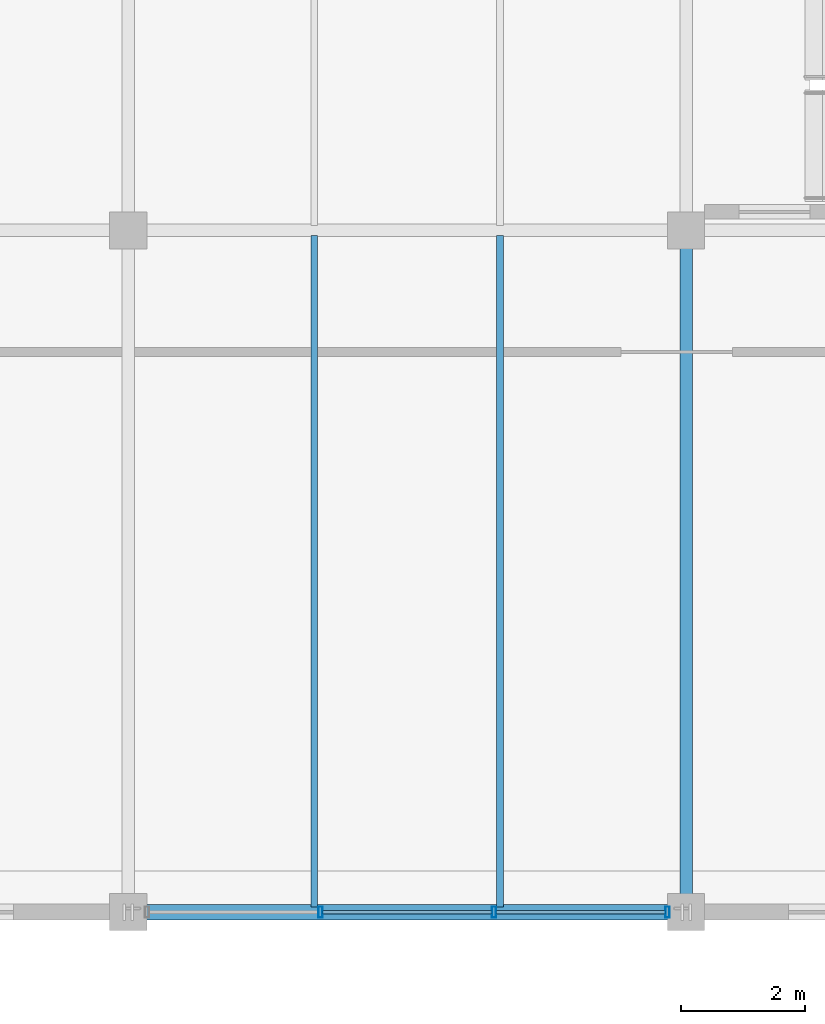
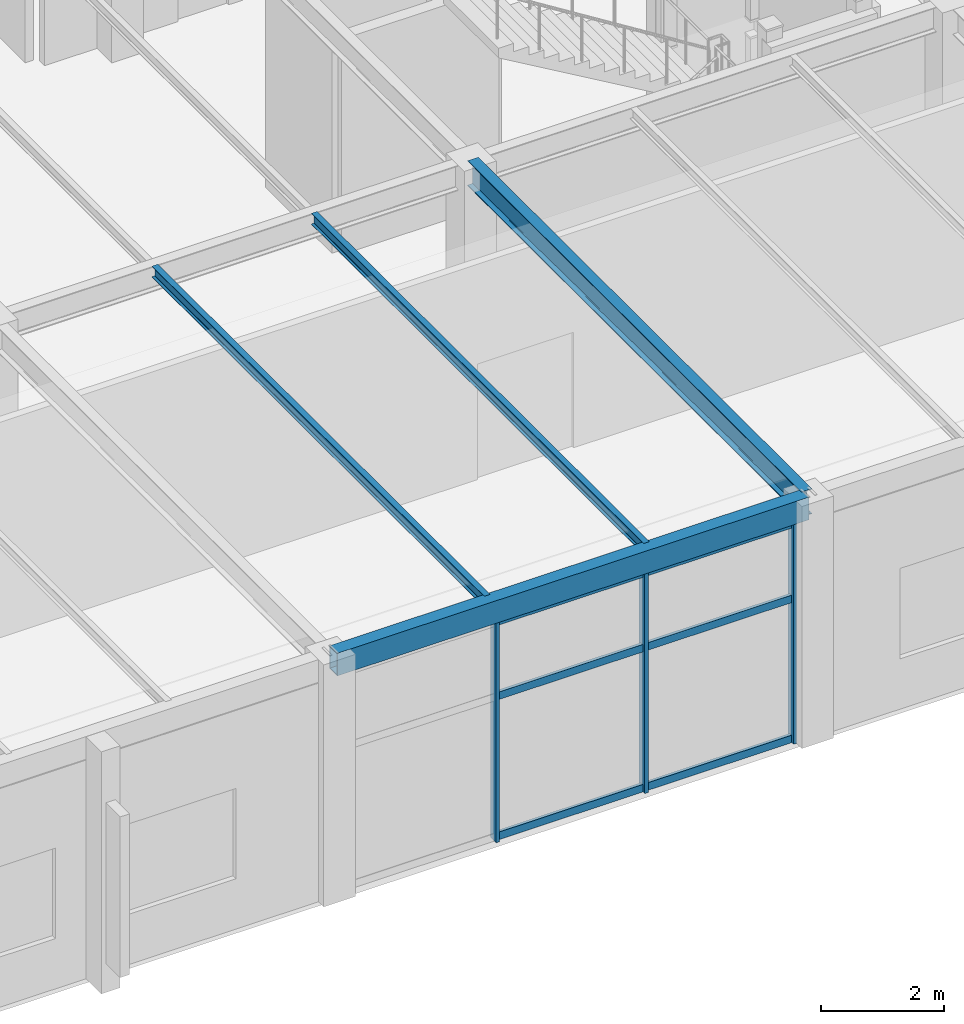
# One storey, part 59 of 143: 9 members, 4 beams, 1 element without a shape of its own.
"""IFC4 building model written with IfcOpenShell, lengths in metres."""

import ifcopenshell
import ifcopenshell.guid

model = None  # the IFC model being written
_history = None  # IfcOwnerHistory: only IFC2X3 demands one
_inside = {}  # id of a spatial element -> (the spatial element, [elements in it])
_under = {}  # id of a project, library or spatial element -> (it, [spatial elements below it])
_declared = {}  # id of a project -> (the project, [libraries it declares])
_typed = {}  # id of a type object -> (the type object, [elements of that type])
_made_of = {}  # id of a material, layer set ... -> (it, [elements and type objects made of it])


def new_model(schema):
    """Start an empty IFC model of exactly this schema.

    Asked for "IFC4X3", IfcOpenShell would pick the latest addendum, in which some entities
    have other attributes; the version numbers below select the first issue.
    IFC2X3 requires an IfcOwnerHistory on every rooted entity: one is made here for all.
    """
    global model, _history
    if schema == "IFC4X3":
        model = ifcopenshell.file(schema_version=(4, 3, 0, 0))
    else:
        model = ifcopenshell.file(schema=schema)
    _inside.clear()
    _under.clear()
    _declared.clear()
    _typed.clear()
    _made_of.clear()
    _history = None
    if model.schema == "IFC2X3":
        org = make("IfcOrganization", Name="unknown")
        user = make(
            "IfcPersonAndOrganization",
            ThePerson=make("IfcPerson", FamilyName="unknown"),
            TheOrganization=org,
        )
        app = make(
            "IfcApplication",
            ApplicationDeveloper=org,
            Version="unknown",
            ApplicationFullName="unknown",
            ApplicationIdentifier="unknown",
        )
        _history = make(
            "IfcOwnerHistory",
            OwningUser=user,
            OwningApplication=app,
            ChangeAction="ADDED",
            CreationDate=0,
        )
    return model


def make(cls, **values):
    """One entity of the class cls with the attributes given. An attribute that is None is left unset."""
    return model.create_entity(
        cls, **{name: value for name, value in values.items() if value is not None}
    )


def rooted(cls, **values):
    """An entity with a GlobalId (a new one), such as an element, a storey or a relation."""
    return make(cls, GlobalId=ifcopenshell.guid.new(), OwnerHistory=_history, **values)


def si_unit(unit_type, name, prefix=None):
    """IfcSIUnit, for example si_unit("LENGTHUNIT", "METRE", prefix="MILLI")."""
    return make("IfcSIUnit", UnitType=unit_type, Prefix=prefix, Name=name)


def assignment(units):
    """IfcUnitAssignment: the units of a project."""
    return None if units is None else make("IfcUnitAssignment", Units=units)


def point(xyz):
    """IfcCartesianPoint."""
    return None if xyz is None else make("IfcCartesianPoint", Coordinates=xyz)


def direction(xyz):
    """IfcDirection."""
    return None if xyz is None else make("IfcDirection", DirectionRatios=xyz)


def frame(location, z_axis=None, x_axis=None):
    """IfcAxis2Placement3D, a coordinate frame: its origin and axes. An axis left out is left unset."""
    return make(
        "IfcAxis2Placement3D",
        Location=point(location),
        Axis=direction(z_axis),
        RefDirection=direction(x_axis),
    )


def frame_2d(location, x_axis=None):
    """IfcAxis2Placement2D, a coordinate frame in the plane: its origin and x axis."""
    return make(
        "IfcAxis2Placement2D", Location=point(location), RefDirection=direction(x_axis)
    )


def origin():
    """The frame at (0, 0, 0) with its axes left unset."""
    return frame((0.0, 0.0, 0.0))


def origin_2d():
    """The frame at (0, 0) in the plane with its x axis left unset."""
    return frame_2d((0.0, 0.0))


def place(relative_to, where):
    """IfcLocalPlacement: puts the frame where relative to a parent placement (None: the world)."""
    return make(
        "IfcLocalPlacement", PlacementRelTo=relative_to, RelativePlacement=where
    )


def context(
    kind, dimensions, precision=None, world=None, true_north=None, identifier=None
):
    """IfcGeometricRepresentationContext, for example the 3D "Model" context."""
    return make(
        "IfcGeometricRepresentationContext",
        ContextIdentifier=identifier,
        ContextType=kind,
        CoordinateSpaceDimension=dimensions,
        Precision=precision,
        WorldCoordinateSystem=world,
        TrueNorth=true_north,
    )


def subcontext(parent, identifier, kind, view, scale=None):
    """IfcGeometricRepresentationSubContext, for example "Body" below "Model"."""
    return make(
        "IfcGeometricRepresentationSubContext",
        ContextIdentifier=identifier,
        ContextType=kind,
        ParentContext=parent,
        TargetScale=scale,
        TargetView=view,
    )


def project(units=None, contexts=None):
    """IfcProject with its units and contexts."""
    return rooted(
        "IfcProject",
        Name="project",
        RepresentationContexts=contexts,
        UnitsInContext=assignment(units),
    )


def spatial(cls, under=None, at=None, **own):
    """A site, building, storey or space (cls), placed at a placement, below another one or the project."""
    s = rooted(cls, ObjectPlacement=at, **own)
    if under is not None:
        _under.setdefault(under.id(), (under, []))[1].append(s)
    return s


def profile(cls, at=None, kind="AREA", **sizes):
    """A parametric profile (cls). Its sizes go by their IFC names, for example OverallWidth=200.0."""
    return make(cls, ProfileType=kind, Position=at, **sizes)


def hollow_rectangle(**sizes):
    """IfcRectangleHollowProfileDef."""
    return profile("IfcRectangleHollowProfileDef", **sizes)


def i_section(**sizes):
    """IfcIShapeProfileDef."""
    return profile("IfcIShapeProfileDef", **sizes)


def extrude(swept, where, along, depth):
    """IfcExtrudedAreaSolid: the profile swept, set in the frame where, extruded along a direction by depth."""
    return make(
        "IfcExtrudedAreaSolid",
        SweptArea=swept,
        Position=where,
        ExtrudedDirection=direction(along),
        Depth=depth,
    )


def shape(context_of_items, identifier, shape_type, items):
    """IfcShapeRepresentation: the items that make up one representation, for example the "Body"."""
    return make(
        "IfcShapeRepresentation",
        ContextOfItems=context_of_items,
        RepresentationIdentifier=identifier,
        RepresentationType=shape_type,
        Items=items,
    )


def material(Name=None, Category=None):
    """IfcMaterial."""
    return make("IfcMaterial", Name=Name, Category=Category)


def layer(
    of_material, thickness, ventilated=None, Name=None, Category=None, Priority=None
):
    """IfcMaterialLayer: one layer of a wall or slab, of a material (None: an air gap)."""
    return make(
        "IfcMaterialLayer",
        Material=of_material,
        LayerThickness=thickness,
        IsVentilated=ventilated,
        Name=Name,
        Category=Category,
        Priority=Priority,
    )


def layer_set(layers, Name=None):
    """IfcMaterialLayerSet."""
    return make("IfcMaterialLayerSet", MaterialLayers=layers, LayerSetName=Name)


def material_profile(
    of_material, cross_section, Name=None, Category=None, Priority=None
):
    """IfcMaterialProfile: a cross section and its material."""
    return make(
        "IfcMaterialProfile",
        Name=Name,
        Material=of_material,
        Profile=cross_section,
        Priority=Priority,
        Category=Category,
    )


def profile_set(profiles, Name=None, composite=None):
    """IfcMaterialProfileSet."""
    return make(
        "IfcMaterialProfileSet",
        Name=Name,
        MaterialProfiles=profiles,
        CompositeProfile=composite,
    )


def made_of(thing, what):
    """Note that an element or type object is made of a material, layer set ...; save() writes the relation."""
    if what is not None:
        _made_of.setdefault(what.id(), (what, []))[1].append(thing)
    return thing


def type_object(cls, material=None, **own):
    """A type object (cls), such as IfcWallType, which elements share."""
    return made_of(rooted(cls, **own), material)


def element(
    cls,
    number,
    at=None,
    inside=None,
    cuts=None,
    type_object=None,
    material=None,
    context=None,
    identifier="Body",
    shape_type=None,
    held_by="IfcProductDefinitionShape",
    body=None,
    shapes=None,
    **own,
):
    """One element of the class cls, such as IfcWall. Its Tag is "e" and its number.

    at: its placement. inside: the storey or other place that contains it. cuts: it is an
    opening in that element (IfcRelVoidsElement). A single representation is given by context,
    identifier, shape_type and body (its items); several are given by shapes. held_by: the class
    of the entity that holds the representations. save() writes the other relations.
    """
    e = rooted(cls, Tag="e%d" % number, ObjectPlacement=at, **own)
    if body is not None:
        shapes = [shape(context, identifier, shape_type, body)]
    if shapes is not None:
        e.Representation = make(held_by, Representations=shapes)
    if inside is not None:
        _inside.setdefault(inside.id(), (inside, []))[1].append(e)
    if cuts is not None:
        rooted(
            "IfcRelVoidsElement", RelatingBuildingElement=cuts, RelatedOpeningElement=e
        )
    if type_object is not None:
        _typed.setdefault(type_object.id(), (type_object, []))[1].append(e)
    return made_of(e, material)


def aggregate(whole, parts):
    """IfcRelAggregates: a whole, such as a stair, and the parts it consists of."""
    return rooted("IfcRelAggregates", RelatingObject=whole, RelatedObjects=parts)


def save(model, path):
    """Write the relations noted so far, then the file.

    IfcRelAggregates (storeys below a building ...), IfcRelContainedInSpatialStructure (elements
    in a storey), IfcRelDefinesByType, IfcRelAssociatesMaterial and IfcRelDeclares: one each for
    every whole, place, type object, material and project.
    """
    for whole, parts in _under.values():
        aggregate(whole, parts)
    for where, things in _inside.values():
        rooted(
            "IfcRelContainedInSpatialStructure",
            RelatedElements=things,
            RelatingStructure=where,
        )
    for kind, things in _typed.values():
        rooted("IfcRelDefinesByType", RelatedObjects=things, RelatingType=kind)
    for what, things in _made_of.values():
        rooted("IfcRelAssociatesMaterial", RelatedObjects=things, RelatingMaterial=what)
    for by, libraries in _declared.values():
        rooted("IfcRelDeclares", RelatingContext=by, RelatedDefinitions=libraries)
    model.write(path)


model = new_model("IFC4")

# Units and contexts
model_context = context("Model", 3, precision=1e-05, world=origin(), true_north=direction((0.0, 1.0)))
body_context = subcontext(model_context, "Body", "Model", "MODEL_VIEW")
ifc_project = project(units=[si_unit("LENGTHUNIT", "METRE"), si_unit("AREAUNIT", "SQUARE_METRE"), si_unit("VOLUMEUNIT", "CUBIC_METRE"), si_unit("PLANEANGLEUNIT", "RADIAN"), si_unit("MASSUNIT", "GRAM", prefix="KILO")], contexts=[model_context])

# Site, building, storey
site_placement = place(None, origin())
site = spatial("IfcSite", under=ifc_project, at=site_placement, CompositionType="ELEMENT")
building_placement = place(site_placement, origin())
building = spatial("IfcBuilding", under=site, at=building_placement, Name="Marlcrest Central Station", CompositionType="ELEMENT")
storey_placement = place(building_placement, frame((0.0, 0.0, 4.800048828125)))
storey = spatial("IfcBuildingStorey", under=building, at=storey_placement, Name="L01", CompositionType="ELEMENT", Elevation=4.800048828125)

# Beams
ifc_material_1 = material(Name="Steel S355", Category="steel")
ifc_material_profile_1 = material_profile(ifc_material_1, i_section(OverallWidth=0.199951171875, OverallDepth=0.5, WebThickness=0.01025390625, FlangeThickness=0.01611328125, FilletRadius=0.02099609375, at=origin_2d()), Name="IPE 500")
ifc_profile_set_1 = profile_set([ifc_material_profile_1], Name="Steel S355")
beam_type_1 = type_object("IfcBeamType", Name="BM-05", PredefinedType="BEAM", material=ifc_profile_set_1)
beam_1_placement = place(storey_placement, frame((198.0, 0.06005859375, 4.56494140625), z_axis=(0.0, 1.0, 0.0), x_axis=(-1.0, 0.0, 0.0)))
element("IfcBeam", 1, at=beam_1_placement, inside=storey, type_object=beam_type_1, Name="bm-BM-05-L01-00902", PredefinedType="BEAM", context=body_context, shape_type="SweptSolid", body=[
    extrude(i_section(OverallWidth=0.199951171875, OverallDepth=0.5, WebThickness=0.01025390625, FlangeThickness=0.01611328125, FilletRadius=0.02099609375, at=origin_2d()), origin(), (0.0, 0.0, 1.0), 10.8798828125),
])
ifc_material_profile_2 = material_profile(ifc_material_1, i_section(OverallWidth=0.110107421875, OverallDepth=0.219970703125, WebThickness=0.005859375, FlangeThickness=0.00927734375, FilletRadius=0.011962890625, at=origin_2d()), Name="IPE 220")
ifc_profile_set_2 = profile_set([ifc_material_profile_2], Name="Steel S355")
beam_type_2 = type_object("IfcBeamType", Name="JS-02", PredefinedType="JOIST", material=ifc_profile_set_2)
for number, where, z_axis, x_axis, name in (
    (2, (192.0, 0.0830078125, 4.704833984375), (0.0, 1.0, 0.0), (-1.0, 0.0, 0.0), "bm-JS-02-L01-00935"),
    (3, (195.0, 0.0830078125, 4.704833984375), (0.0, 1.0, 0.0), (-1.0, 0.0, 0.0), "bm-JS-02-L01-00938"),
):
    element("IfcBeam", number, at=place(storey_placement, frame(where, z_axis=z_axis, x_axis=x_axis)), inside=storey, type_object=beam_type_2, Name=name, PredefinedType="JOIST", context=body_context, shape_type="SweptSolid", body=[
        extrude(i_section(OverallWidth=0.110107421875, OverallDepth=0.219970703125, WebThickness=0.005859375, FlangeThickness=0.00927734375, FilletRadius=0.011962890625, at=origin_2d()), origin(), (0.0, 0.0, 1.0), 10.833984375),
    ])

# Curtain wall, members
ifc_material_2 = material(Name="Anodised aluminium and hurricane laminated glass", Category="aluminium")
ifc_layer = layer(ifc_material_2, 0.179931640625, Name="CW-S1")
ifc_layer_set = layer_set([ifc_layer], Name="Anodised aluminium and hurricane laminated glass")
curtain_wall_type = type_object("IfcCurtainWallType", Name="CW-S1", PredefinedType="USERDEFINED", material=ifc_layer_set)
curtain_wall_placement = place(storey_placement, origin())
curtain_wall = element("IfcCurtainWall", 4, at=curtain_wall_placement, inside=storey, type_object=curtain_wall_type, Name="cw-L01-0151", ObjectType="STICK_CURTAIN_WALL", PredefinedType="USERDEFINED")
ifc_material_3 = material(Name="Anodised aluminium 6063-T6", Category="aluminium")
ifc_material_profile_3 = material_profile(ifc_material_3, hollow_rectangle(XDim=0.070068359375, YDim=0.179931640625, WallThickness=0.0048828125, at=origin_2d()), Name="AA-RHS 180x70x5")
ifc_profile_set_3 = profile_set([ifc_material_profile_3], Name="Anodised aluminium 6063-T6")
member_type_1 = type_object("IfcMemberType", Name="ML-02", PredefinedType="MULLION", material=ifc_profile_set_3)
member_1_placement = place(storey_placement, frame((197.699951171875, 0.0, -0.030029296875), z_axis=(0.0, 0.0, 1.0), x_axis=(1.0, 0.0, 0.0)))
member_1 = element("IfcMember", 5, at=member_1_placement, type_object=member_type_1, Name="cw-L01-0151-ml-0", PredefinedType="MULLION", context=body_context, shape_type="SweptSolid", body=[
    extrude(hollow_rectangle(XDim=0.070068359375, YDim=0.179931640625, WallThickness=0.0048828125, at=origin_2d()), origin(), (0.0, 0.0, 1.0), 4.409912109375),
])
member_2_placement = place(storey_placement, frame((194.89990234375, 0.0, -0.030029296875), z_axis=(0.0, 0.0, 1.0), x_axis=(1.0, 0.0, 0.0)))
member_2 = element("IfcMember", 6, at=member_2_placement, type_object=member_type_1, Name="cw-L01-0151-ml-1", PredefinedType="MULLION", context=body_context, shape_type="SweptSolid", body=[
    extrude(hollow_rectangle(XDim=0.070068359375, YDim=0.179931640625, WallThickness=0.0048828125, at=origin_2d()), origin(), (0.0, 0.0, 1.0), 4.409912109375),
])
member_3_placement = place(storey_placement, frame((192.10009765625, 0.0, -0.030029296875), z_axis=(0.0, 0.0, 1.0), x_axis=(1.0, 0.0, 0.0)))
member_3 = element("IfcMember", 7, at=member_3_placement, type_object=member_type_1, Name="cw-L01-0151-ml-2", PredefinedType="MULLION", context=body_context, shape_type="SweptSolid", body=[
    extrude(hollow_rectangle(XDim=0.070068359375, YDim=0.179931640625, WallThickness=0.0048828125, at=origin_2d()), origin(), (0.0, 0.0, 1.0), 4.409912109375),
])

# Beam
ifc_material_profile_4 = material_profile(ifc_material_1, hollow_rectangle(XDim=0.25, YDim=0.449951171875, WallThickness=0.01611328125, at=origin_2d()), Name="RHS 450x250x16")
ifc_profile_set_4 = profile_set([ifc_material_profile_4], Name="Steel S355")
beam_type_3 = type_object("IfcBeamType", Name="SP-02", PredefinedType="SPANDREL", material=ifc_profile_set_4)
beam_2_placement = place(storey_placement, frame((189.06005859375, 0.0, 4.58984375), z_axis=(1.0, 0.0, 0.0), x_axis=(0.0, 1.0, 0.0)))
element("IfcBeam", 8, at=beam_2_placement, inside=storey, type_object=beam_type_3, Name="bm-SP-02-L01-00863", PredefinedType="SPANDREL", context=body_context, shape_type="SweptSolid", body=[
    extrude(hollow_rectangle(XDim=0.25, YDim=0.449951171875, WallThickness=0.01611328125, at=origin_2d()), origin(), (0.0, 0.0, 1.0), 8.8798828125),
])

# Member
ifc_material_profile_5 = material_profile(ifc_material_3, hollow_rectangle(XDim=0.06005859375, YDim=0.14990234375, WallThickness=0.00390625, at=origin_2d()), Name="AA-RHS 150x60x4")
ifc_profile_set_5 = profile_set([ifc_material_profile_5], Name="Anodised aluminium 6063-T6")
member_type_2 = type_object("IfcMemberType", Name="TR-01", PredefinedType="USERDEFINED", material=ifc_profile_set_5)
member_4_placement = place(storey_placement, frame((197.6669921875, 0.0, 0.0400390625), z_axis=(-1.0, 0.0, 0.0), x_axis=(0.0, -1.0, 0.0)))
member_4 = element("IfcMember", 9, at=member_4_placement, type_object=member_type_2, Name="cw-L01-0151-tr-0-sill", ObjectType="TRANSOM", PredefinedType="USERDEFINED", context=body_context, shape_type="SweptSolid", body=[
    extrude(hollow_rectangle(XDim=0.06005859375, YDim=0.14990234375, WallThickness=0.00390625, at=origin_2d()), origin(), (0.0, 0.0, 1.0), 2.73388671875),
])

member_5_placement = place(storey_placement, frame((197.6669921875, 0.0, 2.827880859375), z_axis=(-1.0, 0.0, 0.0), x_axis=(0.0, -1.0, 0.0)))
member_5 = element("IfcMember", 10, at=member_5_placement, type_object=member_type_2, Name="cw-L01-0151-tr-0-mid", ObjectType="TRANSOM", PredefinedType="USERDEFINED", context=body_context, shape_type="SweptSolid", body=[
    extrude(hollow_rectangle(XDim=0.06005859375, YDim=0.14990234375, WallThickness=0.00390625, at=origin_2d()), origin(), (0.0, 0.0, 1.0), 2.73388671875),
])

member_6_placement = place(storey_placement, frame((197.6669921875, 0.0, 4.31005859375), z_axis=(-1.0, 0.0, 0.0), x_axis=(0.0, -1.0, 0.0)))
member_6 = element("IfcMember", 11, at=member_6_placement, type_object=member_type_2, Name="cw-L01-0151-tr-0-head", ObjectType="TRANSOM", PredefinedType="USERDEFINED", context=body_context, shape_type="SweptSolid", body=[
    extrude(hollow_rectangle(XDim=0.06005859375, YDim=0.14990234375, WallThickness=0.00390625, at=origin_2d()), origin(), (0.0, 0.0, 1.0), 2.73388671875),
])

member_7_placement = place(storey_placement, frame((194.866943359375, 0.0, 0.0400390625), z_axis=(-1.0, 0.0, 0.0), x_axis=(0.0, -1.0, 0.0)))
member_7 = element("IfcMember", 12, at=member_7_placement, type_object=member_type_2, Name="cw-L01-0151-tr-1-sill", ObjectType="TRANSOM", PredefinedType="USERDEFINED", context=body_context, shape_type="SweptSolid", body=[
    extrude(hollow_rectangle(XDim=0.06005859375, YDim=0.14990234375, WallThickness=0.00390625, at=origin_2d()), origin(), (0.0, 0.0, 1.0), 2.73388671875),
])

member_8_placement = place(storey_placement, frame((194.866943359375, 0.0, 2.827880859375), z_axis=(-1.0, 0.0, 0.0), x_axis=(0.0, -1.0, 0.0)))
member_8 = element("IfcMember", 13, at=member_8_placement, type_object=member_type_2, Name="cw-L01-0151-tr-1-mid", ObjectType="TRANSOM", PredefinedType="USERDEFINED", context=body_context, shape_type="SweptSolid", body=[
    extrude(hollow_rectangle(XDim=0.06005859375, YDim=0.14990234375, WallThickness=0.00390625, at=origin_2d()), origin(), (0.0, 0.0, 1.0), 2.73388671875),
])

member_9_placement = place(storey_placement, frame((194.866943359375, 0.0, 4.31005859375), z_axis=(-1.0, 0.0, 0.0), x_axis=(0.0, -1.0, 0.0)))
member_9 = element("IfcMember", 14, at=member_9_placement, type_object=member_type_2, Name="cw-L01-0151-tr-1-head", ObjectType="TRANSOM", PredefinedType="USERDEFINED", context=body_context, shape_type="SweptSolid", body=[
    extrude(hollow_rectangle(XDim=0.06005859375, YDim=0.14990234375, WallThickness=0.00390625, at=origin_2d()), origin(), (0.0, 0.0, 1.0), 2.73388671875),
])

aggregate(curtain_wall, [member_1, member_2, member_3, member_4, member_5, member_6, member_7, member_8, member_9])

save(model, "model.ifc")
